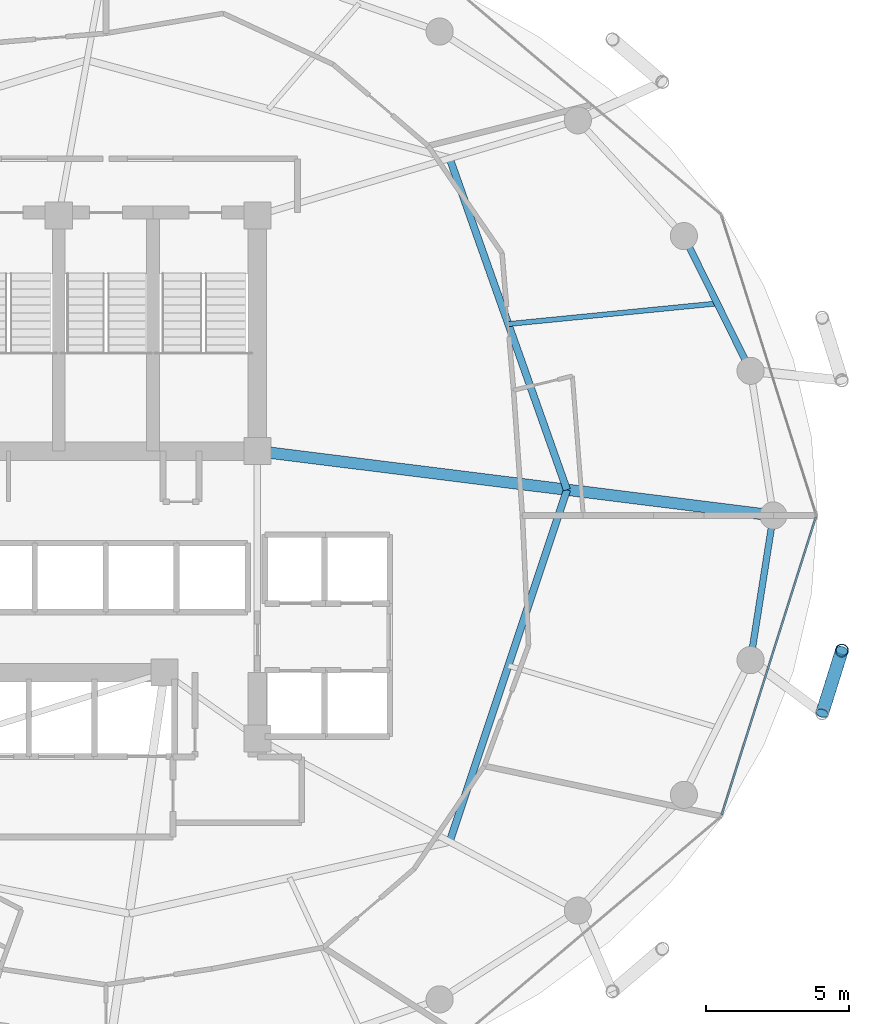
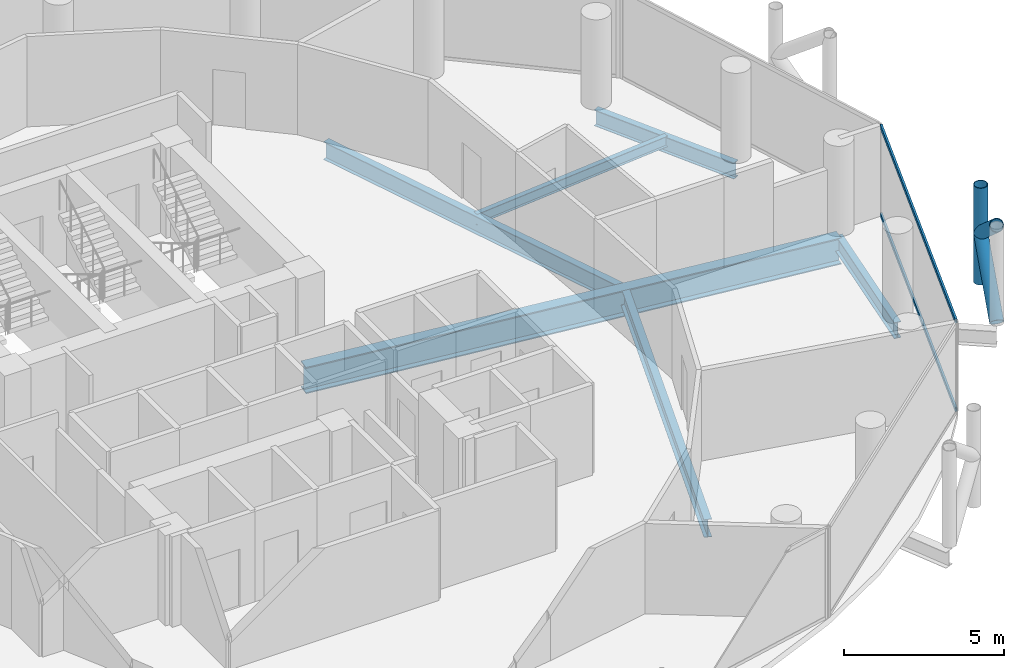
# One storey, part 11 of 26: 6 beams, 5 members, 1 element without a shape of its own.
"""IFC4 building model written with IfcOpenShell, lengths in metres."""

from ifc_helpers import new_model, si_unit, direction, frame, origin, origin_2d, place, context, subcontext, project, spatial, hollow_rectangle, hollow_circle, i_section, extrude, material, layer, layer_set, material_profile, profile_set, type_object, element, aggregate, save


model = new_model("IFC4")

# Units and contexts
model_context = context("Model", 3, precision=1e-05, world=origin(), true_north=direction((0.0, 1.0)))
body_context = subcontext(model_context, "Body", "Model", "MODEL_VIEW")
ifc_project = project(units=[si_unit("LENGTHUNIT", "METRE"), si_unit("AREAUNIT", "SQUARE_METRE"), si_unit("VOLUMEUNIT", "CUBIC_METRE"), si_unit("PLANEANGLEUNIT", "RADIAN"), si_unit("MASSUNIT", "GRAM", prefix="KILO")], contexts=[model_context])

# Site, building, storey
site_placement = place(None, origin())
site = spatial("IfcSite", under=ifc_project, at=site_placement, CompositionType="ELEMENT")
building_placement = place(site_placement, origin())
building = spatial("IfcBuilding", under=site, at=building_placement, Name="Nuhasar Tower", CompositionType="ELEMENT")
storey_placement = place(building_placement, frame((0.0, 0.0, 173.75)))
storey = spatial("IfcBuildingStorey", under=building, at=storey_placement, Name="L42", CompositionType="ELEMENT", Elevation=173.75)

# Beams
ifc_material_1 = material(Name="Steel S355", Category="steel")
ifc_material_profile_1 = material_profile(ifc_material_1, i_section(OverallWidth=0.25390625, OverallDepth=0.68408203125, WebThickness=0.012451171875, FlangeThickness=0.018798828125, at=origin_2d()), Name="W27X94")
ifc_profile_set_1 = profile_set([ifc_material_profile_1], Name="Steel S355")
beam_type_1 = type_object("IfcBeamType", Name="BM-INRING-W27X94", PredefinedType="BEAM", material=ifc_profile_set_1)
beam_1_placement = place(storey_placement, frame((51.027099609375, 15.385986328125, -0.592041015625), z_axis=(0.31609797573, 0.948726551615, 0.0), x_axis=(-0.948726551615, 0.31609797573, 0.0)))
element("IfcBeam", 1, at=beam_1_placement, inside=storey, type_object=beam_type_1, Name="L42 Inner Header Beam 03", PredefinedType="BEAM", context=body_context, shape_type="SweptSolid", body=[
    extrude(i_section(OverallWidth=0.25390625, OverallDepth=0.68408203125, WebThickness=0.012451171875, FlangeThickness=0.018798828125, at=origin_2d()), origin(), (0.0, 0.0, 1.0), 12.9794921875),
])
beam_2_placement = place(storey_placement, frame((55.1298828125, 27.699951171875, -0.592041015625), z_axis=(-0.333599821096, 0.942714781556, 0.0), x_axis=(-0.942714781556, -0.333599821096, 0.0)))
element("IfcBeam", 2, at=beam_2_placement, inside=storey, type_object=beam_type_1, Name="L42 Inner Header Beam 04", PredefinedType="BEAM", context=body_context, shape_type="SweptSolid", body=[
    extrude(i_section(OverallWidth=0.25390625, OverallDepth=0.68408203125, WebThickness=0.012451171875, FlangeThickness=0.018798828125, at=origin_2d()), origin(), (0.0, 0.0, 1.0), 12.298583984375),
])
ifc_material_profile_2 = material_profile(ifc_material_1, i_section(OverallWidth=0.177978515625, OverallDepth=0.406005859375, WebThickness=0.0078125, FlangeThickness=0.0126953125, at=origin_2d()), Name="W16X40")
ifc_profile_set_2 = profile_set([ifc_material_profile_2], Name="Steel S355")
beam_type_2 = type_object("IfcBeamType", Name="BM-JST-W16X40", PredefinedType="JOIST", material=ifc_profile_set_2)
beam_3_placement = place(storey_placement, frame((53.0791015625, 33.4970703125, -0.452880859375), z_axis=(0.995170244515, 0.098164068947, 0.0), x_axis=(-0.098164068947, 0.995170244515, 0.0)))
element("IfcBeam", 3, at=beam_3_placement, inside=storey, type_object=beam_type_2, Name="L42 Secondary Floor Joist 04", PredefinedType="JOIST", context=body_context, shape_type="SweptSolid", body=[
    extrude(i_section(OverallWidth=0.177978515625, OverallDepth=0.406005859375, WebThickness=0.0078125, FlangeThickness=0.0126953125, at=origin_2d()), origin(), (0.0, 0.0, 1.0), 7.34423828125),
])
ifc_material_profile_3 = material_profile(ifc_material_1, i_section(OverallWidth=0.22998046875, OverallDepth=0.616943359375, WebThickness=0.01318359375, FlangeThickness=0.022216796875, at=origin_2d()), Name="W24X94")
ifc_profile_set_3 = profile_set([ifc_material_profile_3], Name="Steel S355")
beam_type_3 = type_object("IfcBeamType", Name="BM-RING-W24X94", PredefinedType="SPANDREL", material=ifc_profile_set_3)
beam_4_placement = place(storey_placement, frame((61.553955078125, 31.860107421875, -0.55908203125), z_axis=(-0.443347771709, 0.896349682501, 0.0), x_axis=(-0.896349682501, -0.443347771709, 0.0)))
element("IfcBeam", 4, at=beam_4_placement, inside=storey, type_object=beam_type_3, Name="L42 Perimeter Ring Spandrel 02", PredefinedType="SPANDREL", context=body_context, shape_type="SweptSolid", body=[
    extrude(i_section(OverallWidth=0.22998046875, OverallDepth=0.616943359375, WebThickness=0.01318359375, FlangeThickness=0.022216796875, at=origin_2d()), origin(), (0.0, 0.0, 1.0), 5.260009765625),
])
beam_5_placement = place(storey_placement, frame((61.553955078125, 21.739990234375, -0.55908203125), z_axis=(0.155426543608, 0.987847452566, 0.0), x_axis=(-0.987847452566, 0.155426543608, 0.0)))
element("IfcBeam", 5, at=beam_5_placement, inside=storey, type_object=beam_type_3, Name="L42 Perimeter Ring Spandrel 24", PredefinedType="SPANDREL", context=body_context, shape_type="SweptSolid", body=[
    extrude(i_section(OverallWidth=0.22998046875, OverallDepth=0.616943359375, WebThickness=0.01318359375, FlangeThickness=0.022216796875, at=origin_2d()), origin(), (0.0, 0.0, 1.0), 5.122314453125),
])
ifc_material_2 = material(Name="Steel S460", Category="steel")
ifc_material_profile_4 = material_profile(ifc_material_2, i_section(OverallWidth=0.40087890625, OverallDepth=1.010009765625, WebThickness=0.023681640625, FlangeThickness=0.0419921875, at=origin_2d()), Name="W40X297")
ifc_profile_set_4 = profile_set([ifc_material_profile_4], Name="Steel S460")
beam_type_4 = type_object("IfcBeamType", Name="BM-XFER-W40X297", PredefinedType="USERDEFINED", material=ifc_profile_set_4)
beam_6_placement = place(storey_placement, frame((44.300048828125, 29.050048828125, -0.7548828125), z_axis=(0.992320149485, -0.123696082908, 0.0), x_axis=(0.123696082908, 0.992320149485, 0.0)))
element("IfcBeam", 6, at=beam_6_placement, inside=storey, type_object=beam_type_4, Name="L42 Radial Floor Girder 04", ObjectType="GIRDER", PredefinedType="USERDEFINED", context=body_context, shape_type="SweptSolid", body=[
    extrude(i_section(OverallWidth=0.40087890625, OverallDepth=1.010009765625, WebThickness=0.023681640625, FlangeThickness=0.0419921875, at=origin_2d()), origin(), (0.0, 0.0, 1.0), 18.189697265625),
])

# Curtain wall, members
ifc_material_3 = material(Name="Aluminium 6063-T6", Category="aluminium")
ifc_layer = layer(ifc_material_3, 0.199951171875)
ifc_layer_set = layer_set([ifc_layer], Name="Aluminium 6063-T6")
curtain_wall_type = type_object("IfcCurtainWallType", Name="CW-Z2-HTL", PredefinedType="NOTDEFINED", material=ifc_layer_set)
curtain_wall_placement = place(storey_placement, origin())
curtain_wall = element("IfcCurtainWall", 7, at=curtain_wall_placement, inside=storey, type_object=curtain_wall_type, Name="L42 Unitised Curtain Wall 12", PredefinedType="NOTDEFINED")
ifc_material_profile_5 = material_profile(ifc_material_3, hollow_rectangle(XDim=0.070068359375, YDim=0.159912109375, WallThickness=0.00439453125, at=origin_2d()), Name="CWT-3")
ifc_profile_set_5 = profile_set([ifc_material_profile_5], Name="Aluminium 6063-T6")
member_type_1 = type_object("IfcMemberType", Name="CW-TRN-S3", PredefinedType="USERDEFINED", material=ifc_profile_set_5)
member_1_placement = place(storey_placement, frame((60.550048828125, 16.336669921875, 0.034912109375), z_axis=(0.301608163352, 0.953431967053, 0.0), x_axis=(-0.953431967053, 0.301608163352, 0.0)))
member_1 = element("IfcMember", 8, at=member_1_placement, type_object=member_type_1, Name="CW-Z2 transom 1.1", ObjectType="TRANSOM", PredefinedType="USERDEFINED", context=body_context, shape_type="SweptSolid", body=[
    extrude(hollow_rectangle(XDim=0.070068359375, YDim=0.159912109375, WallThickness=0.00439453125, at=origin_2d()), origin(), (0.0, 0.0, 1.0), 10.904296875),
])
member_2_placement = place(storey_placement, frame((60.550048828125, 16.336669921875, 3.4150390625), z_axis=(0.301608163352, 0.953431967053, 0.0), x_axis=(-0.953431967053, 0.301608163352, 0.0)))
member_2 = element("IfcMember", 9, at=member_2_placement, type_object=member_type_1, Name="CW-Z2 transom 1.2", ObjectType="TRANSOM", PredefinedType="USERDEFINED", context=body_context, shape_type="SweptSolid", body=[
    extrude(hollow_rectangle(XDim=0.070068359375, YDim=0.159912109375, WallThickness=0.00439453125, at=origin_2d()), origin(), (0.0, 0.0, 1.0), 10.904296875),
])
aggregate(curtain_wall, [member_1, member_2])

# Members
ifc_material_profile_6 = material_profile(ifc_material_2, hollow_circle(Radius=0.228515625, WallThickness=0.022216796875, at=origin_2d()), Name="HSS457X22.2")
ifc_profile_set_6 = profile_set([ifc_material_profile_6], Name="Steel S460")
member_type_2 = type_object("IfcMemberType", Name="EXO-BRONZE-457", PredefinedType="BRACE", material=ifc_profile_set_6)
member_3_placement = place(storey_placement, frame((64.748046875, 22.073974609375, 0.0), z_axis=(0.0, 0.0, 1.0), x_axis=(1.0, 0.0, 0.0)))
element("IfcMember", 10, at=member_3_placement, inside=storey, type_object=member_type_2, Name="L42 Exoskeleton Chord Column EC-12B", PredefinedType="BRACE", context=body_context, shape_type="SweptSolid", body=[
    extrude(hollow_circle(Radius=0.228515625, WallThickness=0.022216796875, at=origin_2d()), origin(), (0.0, 0.0, 1.0), 3.699951171875),
])
member_4_placement = place(storey_placement, frame((64.06005859375, 19.87890625, 0.0), z_axis=(0.233055548538, 0.743577869731, 0.626719285599), x_axis=(-0.954228474306, 0.29907861646, 0.0)))
element("IfcMember", 11, at=member_4_placement, inside=storey, type_object=member_type_2, Name="L42 Bronze Diagrid Brace W1-12", PredefinedType="BRACE", context=body_context, shape_type="SweptSolid", body=[
    extrude(hollow_circle(Radius=0.228515625, WallThickness=0.022216796875, at=origin_2d()), origin(), (0.0, 0.0, 1.0), 2.9521484375),
])
member_5_placement = place(storey_placement, frame((64.748046875, 22.073974609375, 1.85009765625), z_axis=(-0.233067628236, -0.74361641074, 0.626669062861), x_axis=(0.954228474306, -0.29907861646, 0.0)))
element("IfcMember", 12, at=member_5_placement, inside=storey, type_object=member_type_2, Name="L42 Bronze Diagrid Brace W2-12", PredefinedType="BRACE", context=body_context, shape_type="SweptSolid", body=[
    extrude(hollow_circle(Radius=0.228515625, WallThickness=0.022216796875, at=origin_2d()), origin(), (0.0, 0.0, 1.0), 2.951904296875),
])

save(model, "model.ifc")
